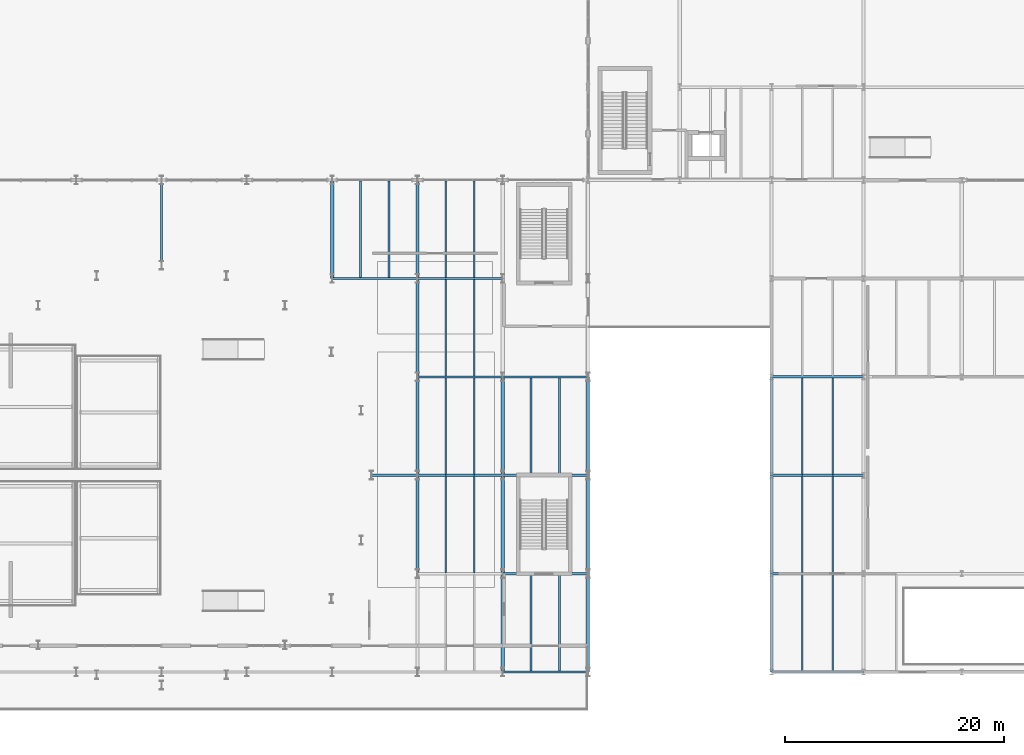
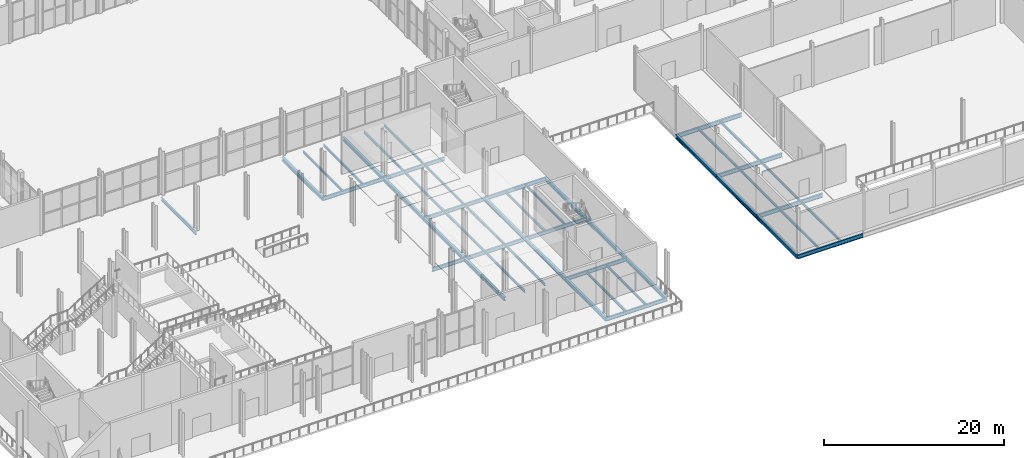
# One storey, part 24 of 84: 48 beams.
"""IFC4 building model written with IfcOpenShell, lengths in metres."""

from ifc_helpers import new_model, si_unit, direction, frame, origin, origin_2d, place, context, subcontext, project, spatial, i_section, extrude, material, material_profile, profile_set, type_object, element, save


model = new_model("IFC4")

# Units and contexts
model_context = context("Model", 3, precision=1e-05, world=origin(), true_north=direction((0.0, 1.0)))
body_context = subcontext(model_context, "Body", "Model", "MODEL_VIEW")
ifc_project = project(units=[si_unit("LENGTHUNIT", "METRE"), si_unit("AREAUNIT", "SQUARE_METRE"), si_unit("VOLUMEUNIT", "CUBIC_METRE"), si_unit("PLANEANGLEUNIT", "RADIAN"), si_unit("MASSUNIT", "GRAM", prefix="KILO")], contexts=[model_context])

# Site, building, storey
site_placement = place(None, origin())
site = spatial("IfcSite", under=ifc_project, at=site_placement, CompositionType="ELEMENT")
building_placement = place(site_placement, origin())
building = spatial("IfcBuilding", under=site, at=building_placement, Name="Sefraquen Railside Congress Hotel", CompositionType="ELEMENT")
storey_placement = place(building_placement, origin())
storey = spatial("IfcBuildingStorey", under=building, at=storey_placement, Name="L00", CompositionType="ELEMENT", Elevation=0.0)

# Beams
ifc_material = material(Name="Steel S355JR", Category="steel")
ifc_material_profile_1 = material_profile(ifc_material, i_section(OverallWidth=0.18994140625, OverallDepth=0.449951171875, WebThickness=0.009521484375, FlangeThickness=0.0146484375, FilletRadius=0.02099609375, at=origin_2d()), Name="IPE 450")
ifc_profile_set_1 = profile_set([ifc_material_profile_1], Name="Steel S355JR")
beam_type_1 = type_object("IfcBeamType", Name="TB-BM-450", PredefinedType="BEAM", material=ifc_profile_set_1)
beam_1_placement = place(storey_placement, frame((64.199951171875, 46.199951171875, -0.625), z_axis=(0.0, 1.0, 0.0), x_axis=(-1.0, 0.0, 0.0)))
element("IfcBeam", 1, at=beam_1_placement, inside=storey, type_object=beam_type_1, Name="Floor beam BM-L00-0240", PredefinedType="BEAM", context=body_context, shape_type="SweptSolid", body=[
    extrude(i_section(OverallWidth=0.18994140625, OverallDepth=0.449951171875, WebThickness=0.009521484375, FlangeThickness=0.0146484375, FilletRadius=0.02099609375, at=origin_2d()), origin(), (0.0, 0.0, 1.0), 7.800048828125),
])
ifc_material_profile_2 = material_profile(ifc_material, i_section(OverallWidth=0.199951171875, OverallDepth=0.5, WebThickness=0.01025390625, FlangeThickness=0.01611328125, FilletRadius=0.02099609375, at=origin_2d()), Name="IPE 500")
ifc_profile_set_2 = profile_set([ifc_material_profile_2], Name="Steel S355JR")
beam_type_2 = type_object("IfcBeamType", Name="TB-BM-500", PredefinedType="BEAM", material=ifc_profile_set_2)
for number, where, z_axis, x_axis, name in (
    (2, (95.39990234375, 9.0, -0.64990234375), (1.0, 0.0, 0.0), (0.0, 1.0, 0.0), "Primary girder BM-L00-0010"),
    (3, (95.39990234375, 18.0, -0.64990234375), (1.0, 0.0, 0.0), (0.0, 1.0, 0.0), "Primary girder BM-L00-0020"),
):
    element("IfcBeam", number, at=place(storey_placement, frame(where, z_axis=z_axis, x_axis=x_axis)), inside=storey, type_object=beam_type_2, Name=name, PredefinedType="BEAM", context=body_context, shape_type="SweptSolid", body=[
        extrude(i_section(OverallWidth=0.199951171875, OverallDepth=0.5, WebThickness=0.01025390625, FlangeThickness=0.01611328125, FilletRadius=0.02099609375, at=origin_2d()), origin(), (0.0, 0.0, 1.0), 7.800048828125),
    ])
beam_2_placement = place(storey_placement, frame((83.39990234375, 27.0, -0.64990234375), z_axis=(1.0, 0.0, 0.0), x_axis=(0.0, 1.0, 0.0)))
element("IfcBeam", 4, at=beam_2_placement, inside=storey, type_object=beam_type_2, Name="Primary girder BM-L00-0030", PredefinedType="BEAM", context=body_context, shape_type="SweptSolid", body=[
    extrude(i_section(OverallWidth=0.199951171875, OverallDepth=0.5, WebThickness=0.01025390625, FlangeThickness=0.01611328125, FilletRadius=0.02099609375, at=origin_2d()), origin(), (0.0, 0.0, 1.0), 4.2001953125),
])
beam_3_placement = place(storey_placement, frame((87.60009765625, 27.0, -0.64990234375), z_axis=(1.0, 0.0, 0.0), x_axis=(0.0, 1.0, 0.0)))
element("IfcBeam", 5, at=beam_3_placement, inside=storey, type_object=beam_type_2, Name="Primary girder BM-L00-0031", PredefinedType="BEAM", context=body_context, shape_type="SweptSolid", body=[
    extrude(i_section(OverallWidth=0.199951171875, OverallDepth=0.5, WebThickness=0.01025390625, FlangeThickness=0.01611328125, FilletRadius=0.02099609375, at=origin_2d()), origin(), (0.0, 0.0, 1.0), 7.7998046875),
])
beam_4_placement = place(storey_placement, frame((95.39990234375, 27.0, -0.64990234375), z_axis=(1.0, 0.0, 0.0), x_axis=(0.0, 1.0, 0.0)))
element("IfcBeam", 6, at=beam_4_placement, inside=storey, type_object=beam_type_2, Name="Primary girder BM-L00-0032", PredefinedType="BEAM", context=body_context, shape_type="SweptSolid", body=[
    extrude(i_section(OverallWidth=0.199951171875, OverallDepth=0.5, WebThickness=0.01025390625, FlangeThickness=0.01611328125, FilletRadius=0.02099609375, at=origin_2d()), origin(), (0.0, 0.0, 1.0), 7.800048828125),
])
beam_5_placement = place(storey_placement, frame((87.60009765625, 36.0, -0.64990234375), z_axis=(1.0, 0.0, 0.0), x_axis=(0.0, 1.0, 0.0)))
element("IfcBeam", 7, at=beam_5_placement, inside=storey, type_object=beam_type_2, Name="Primary girder BM-L00-0036", PredefinedType="BEAM", context=body_context, shape_type="SweptSolid", body=[
    extrude(i_section(OverallWidth=0.199951171875, OverallDepth=0.5, WebThickness=0.01025390625, FlangeThickness=0.01611328125, FilletRadius=0.02099609375, at=origin_2d()), origin(), (0.0, 0.0, 1.0), 7.7998046875),
])
for number, where, z_axis, x_axis, name in (
    (8, (95.39990234375, 36.0, -0.64990234375), (1.0, 0.0, 0.0), (0.0, 1.0, 0.0), "Primary girder BM-L00-0037"),
    (9, (79.800048828125, 45.0, -0.64990234375), (1.0, 0.0, 0.0), (0.0, 1.0, 0.0), "Primary girder BM-L00-0046"),
):
    element("IfcBeam", number, at=place(storey_placement, frame(where, z_axis=z_axis, x_axis=x_axis)), inside=storey, type_object=beam_type_2, Name=name, PredefinedType="BEAM", context=body_context, shape_type="SweptSolid", body=[
        extrude(i_section(OverallWidth=0.199951171875, OverallDepth=0.5, WebThickness=0.01025390625, FlangeThickness=0.01611328125, FilletRadius=0.02099609375, at=origin_2d()), origin(), (0.0, 0.0, 1.0), 7.800048828125),
    ])
beam_6_placement = place(storey_placement, frame((87.60009765625, 45.0, -0.64990234375), z_axis=(1.0, 0.0, 0.0), x_axis=(0.0, 1.0, 0.0)))
element("IfcBeam", 10, at=beam_6_placement, inside=storey, type_object=beam_type_2, Name="Primary girder BM-L00-0047", PredefinedType="BEAM", context=body_context, shape_type="SweptSolid", body=[
    extrude(i_section(OverallWidth=0.199951171875, OverallDepth=0.5, WebThickness=0.01025390625, FlangeThickness=0.01611328125, FilletRadius=0.02099609375, at=origin_2d()), origin(), (0.0, 0.0, 1.0), 7.7998046875),
])
ifc_material_profile_3 = material_profile(ifc_material, i_section(OverallWidth=0.300048828125, OverallDepth=0.489990234375, WebThickness=0.011962890625, FlangeThickness=0.02294921875, FilletRadius=0.027099609375, at=origin_2d()), Name="HEA 500")
ifc_profile_set_3 = profile_set([ifc_material_profile_3], Name="Steel S355JR")
beam_type_3 = type_object("IfcBeamType", Name="TB-GIR-500", PredefinedType="T_BEAM", material=ifc_profile_set_3)
for number, where, z_axis, x_axis, name in (
    (11, (79.800048828125, 45.0, -0.64501953125), (0.0, 1.0, 0.0), (-1.0, 0.0, 0.0), "Floor beam BM-L00-0249"),
    (12, (87.60009765625, 18.0, -0.64501953125), (0.0, 1.0, 0.0), (-1.0, 0.0, 0.0), "Floor beam BM-L00-0255"),
    (13, (87.60009765625, 27.0, -0.64501953125), (0.0, 1.0, 0.0), (-1.0, 0.0, 0.0), "Floor beam BM-L00-0256"),
    (14, (87.60009765625, 36.0, -0.64501953125), (0.0, 1.0, 0.0), (-1.0, 0.0, 0.0), "Floor beam BM-L00-0257"),
    (15, (87.60009765625, 45.0, -0.64501953125), (0.0, 1.0, 0.0), (-1.0, 0.0, 0.0), "Floor beam BM-L00-0258"),
    (16, (95.39990234375, 9.0, -0.64501953125), (0.0, 1.0, 0.0), (-1.0, 0.0, 0.0), "Floor beam BM-L00-0263"),
    (17, (95.39990234375, 18.0, -0.64501953125), (0.0, 1.0, 0.0), (-1.0, 0.0, 0.0), "Floor beam BM-L00-0264"),
    (18, (95.39990234375, 27.0, -0.64501953125), (0.0, 1.0, 0.0), (-1.0, 0.0, 0.0), "Floor beam BM-L00-0265"),
    (19, (103.199951171875, 9.0, -0.64501953125), (0.0, 1.0, 0.0), (-1.0, 0.0, 0.0), "Floor beam BM-L00-0272"),
    (20, (103.199951171875, 18.0, -0.64501953125), (0.0, 1.0, 0.0), (-1.0, 0.0, 0.0), "Floor beam BM-L00-0273"),
    (21, (103.199951171875, 27.0, -0.64501953125), (0.0, 1.0, 0.0), (-1.0, 0.0, 0.0), "Floor beam BM-L00-0274"),
    (22, (120.0, 9.0, -0.7451171875), (0.0, 1.0, 0.0), (-1.0, 0.0, 0.0), "Floor beam BM-L00-0293"),
    (23, (120.0, 18.0, -0.7451171875), (0.0, 1.0, 0.0), (-1.0, 0.0, 0.0), "Floor beam BM-L00-0294"),
    (24, (120.0, 27.0, -0.7451171875), (0.0, 1.0, 0.0), (-1.0, 0.0, 0.0), "Floor beam BM-L00-0295"),
):
    element("IfcBeam", number, at=place(storey_placement, frame(where, z_axis=z_axis, x_axis=x_axis)), inside=storey, type_object=beam_type_3, Name=name, PredefinedType="T_BEAM", context=body_context, shape_type="SweptSolid", body=[
        extrude(i_section(OverallWidth=0.300048828125, OverallDepth=0.489990234375, WebThickness=0.011962890625, FlangeThickness=0.02294921875, FilletRadius=0.027099609375, at=origin_2d()), origin(), (0.0, 0.0, 1.0), 9.0),
    ])
ifc_material_profile_4 = material_profile(ifc_material, i_section(OverallWidth=0.2099609375, OverallDepth=0.550048828125, WebThickness=0.010986328125, FlangeThickness=0.01708984375, FilletRadius=0.02392578125, at=origin_2d()), Name="IPE 550")
ifc_profile_set_4 = profile_set([ifc_material_profile_4], Name="Steel S355JR")
beam_type_4 = type_object("IfcBeamType", Name="TB-GIR-550", PredefinedType="T_BEAM", material=ifc_profile_set_4)
for number, where, z_axis, x_axis, name in (
    (25, (120.0, 9.0, -0.77490234375), (1.0, 0.0, 0.0), (0.0, 1.0, 0.0), "Primary girder BM-L00-0011"),
    (26, (120.0, 18.0, -0.77490234375), (1.0, 0.0, 0.0), (0.0, 1.0, 0.0), "Primary girder BM-L00-0021"),
    (27, (120.0, 27.0, -0.77490234375), (1.0, 0.0, 0.0), (0.0, 1.0, 0.0), "Primary girder BM-L00-0033"),
    (28, (120.0, 36.0, -0.77490234375), (1.0, 0.0, 0.0), (0.0, 1.0, 0.0), "Primary girder BM-L00-0038"),
):
    element("IfcBeam", number, at=place(storey_placement, frame(where, z_axis=z_axis, x_axis=x_axis)), inside=storey, type_object=beam_type_4, Name=name, PredefinedType="T_BEAM", context=body_context, shape_type="SweptSolid", body=[
        extrude(i_section(OverallWidth=0.2099609375, OverallDepth=0.550048828125, WebThickness=0.010986328125, FlangeThickness=0.01708984375, FilletRadius=0.02392578125, at=origin_2d()), origin(), (0.0, 0.0, 1.0), 8.39990234375),
    ])
ifc_material_profile_5 = material_profile(ifc_material, i_section(OverallWidth=0.159912109375, OverallDepth=0.330078125, WebThickness=0.007568359375, FlangeThickness=0.011474609375, FilletRadius=0.01806640625, at=origin_2d()), Name="IPE 330")
ifc_profile_set_5 = profile_set([ifc_material_profile_5], Name="Steel S355JR")
beam_type_5 = type_object("IfcBeamType", Name="TB-JST-330", PredefinedType="JOIST", material=ifc_profile_set_5)
for number, where, z_axis, x_axis, name in (
    (29, (82.39990234375, 45.080078125, -0.56494140625), (0.0, 1.0, 0.0), (-1.0, 0.0, 0.0), "Composite floor joist BM-L00-J0116"),
    (30, (85.0, 45.080078125, -0.56494140625), (0.0, 1.0, 0.0), (-1.0, 0.0, 0.0), "Composite floor joist BM-L00-J0117"),
    (31, (90.199951171875, 18.080078125, -0.56494140625), (0.0, 1.0, 0.0), (-1.0, 0.0, 0.0), "Composite floor joist BM-L00-J0128"),
    (32, (92.800048828125, 18.080078125, -0.56494140625), (0.0, 1.0, 0.0), (-1.0, 0.0, 0.0), "Composite floor joist BM-L00-J0129"),
    (33, (90.199951171875, 27.080078125, -0.56494140625), (0.0, 1.0, 0.0), (-1.0, 0.0, 0.0), "Composite floor joist BM-L00-J0130"),
    (34, (92.800048828125, 27.080078125, -0.56494140625), (0.0, 1.0, 0.0), (-1.0, 0.0, 0.0), "Composite floor joist BM-L00-J0131"),
    (35, (90.199951171875, 36.080078125, -0.56494140625), (0.0, 1.0, 0.0), (-1.0, 0.0, 0.0), "Composite floor joist BM-L00-J0132"),
    (36, (92.800048828125, 36.080078125, -0.56494140625), (0.0, 1.0, 0.0), (-1.0, 0.0, 0.0), "Composite floor joist BM-L00-J0133"),
    (37, (90.199951171875, 45.080078125, -0.56494140625), (0.0, 1.0, 0.0), (-1.0, 0.0, 0.0), "Composite floor joist BM-L00-J0134"),
    (38, (92.800048828125, 45.080078125, -0.56494140625), (0.0, 1.0, 0.0), (-1.0, 0.0, 0.0), "Composite floor joist BM-L00-J0135"),
    (39, (98.0, 9.080078125, -0.56494140625), (0.0, 1.0, 0.0), (-1.0, 0.0, 0.0), "Composite floor joist BM-L00-J0144"),
    (40, (100.60009765625, 9.080078125, -0.56494140625), (0.0, 1.0, 0.0), (-1.0, 0.0, 0.0), "Composite floor joist BM-L00-J0145"),
    (41, (98.0, 27.080078125, -0.56494140625), (0.0, 1.0, 0.0), (-1.0, 0.0, 0.0), "Composite floor joist BM-L00-J0146"),
    (42, (100.60009765625, 27.080078125, -0.56494140625), (0.0, 1.0, 0.0), (-1.0, 0.0, 0.0), "Composite floor joist BM-L00-J0147"),
):
    element("IfcBeam", number, at=place(storey_placement, frame(where, z_axis=z_axis, x_axis=x_axis)), inside=storey, type_object=beam_type_5, Name=name, PredefinedType="JOIST", context=body_context, shape_type="SweptSolid", body=[
        extrude(i_section(OverallWidth=0.159912109375, OverallDepth=0.330078125, WebThickness=0.007568359375, FlangeThickness=0.011474609375, FilletRadius=0.01806640625, at=origin_2d()), origin(), (0.0, 0.0, 1.0), 8.83984375),
    ])
for number, where, z_axis, x_axis, name in (
    (43, (122.800048828125, 9.0849609375, -0.6650390625), (0.0, 1.0, 0.0), (-1.0, 0.0, 0.0), "Composite floor joist BM-L00-J0176"),
    (44, (125.60009765625, 9.0849609375, -0.6650390625), (0.0, 1.0, 0.0), (-1.0, 0.0, 0.0), "Composite floor joist BM-L00-J0177"),
    (45, (122.800048828125, 18.0849609375, -0.6650390625), (0.0, 1.0, 0.0), (-1.0, 0.0, 0.0), "Composite floor joist BM-L00-J0178"),
    (46, (125.60009765625, 18.0849609375, -0.6650390625), (0.0, 1.0, 0.0), (-1.0, 0.0, 0.0), "Composite floor joist BM-L00-J0179"),
    (47, (122.800048828125, 27.0849609375, -0.6650390625), (0.0, 1.0, 0.0), (-1.0, 0.0, 0.0), "Composite floor joist BM-L00-J0180"),
    (48, (125.60009765625, 27.0849609375, -0.6650390625), (0.0, 1.0, 0.0), (-1.0, 0.0, 0.0), "Composite floor joist BM-L00-J0181"),
):
    element("IfcBeam", number, at=place(storey_placement, frame(where, z_axis=z_axis, x_axis=x_axis)), inside=storey, type_object=beam_type_5, Name=name, PredefinedType="JOIST", context=body_context, shape_type="SweptSolid", body=[
        extrude(i_section(OverallWidth=0.159912109375, OverallDepth=0.330078125, WebThickness=0.007568359375, FlangeThickness=0.011474609375, FilletRadius=0.01806640625, at=origin_2d()), origin(), (0.0, 0.0, 1.0), 8.830078125),
    ])

save(model, "model.ifc")
